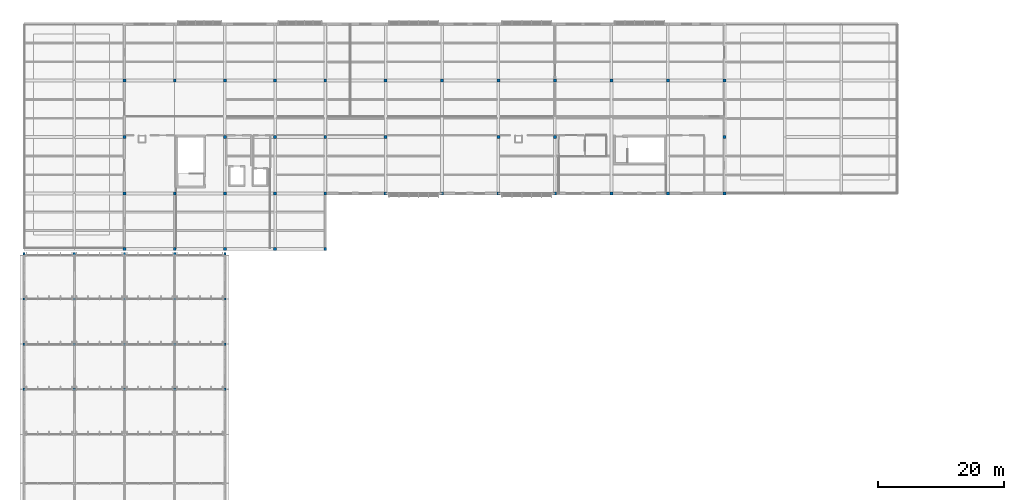
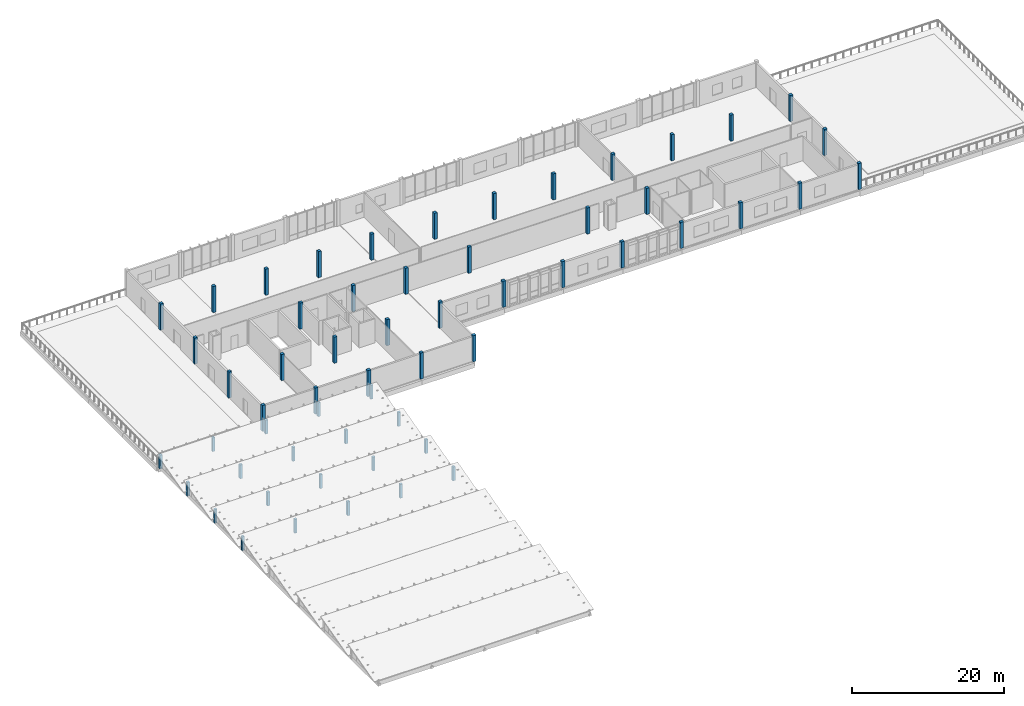
# One storey, part 3 of 94: 57 columns.
"""IFC4 building model written with IfcOpenShell, lengths in metres."""

from ifc_helpers import new_model, si_unit, direction, frame, origin, origin_2d, place, context, subcontext, project, spatial, rectangle, extrude, material, material_profile, profile_set, type_object, element, save


model = new_model("IFC4")

# Units and contexts
model_context = context("Model", 3, precision=1e-05, world=origin(), true_north=direction((0.0, 1.0)))
body_context = subcontext(model_context, "Body", "Model", "MODEL_VIEW")
ifc_project = project(units=[si_unit("LENGTHUNIT", "METRE"), si_unit("AREAUNIT", "SQUARE_METRE"), si_unit("VOLUMEUNIT", "CUBIC_METRE"), si_unit("PLANEANGLEUNIT", "RADIAN"), si_unit("MASSUNIT", "GRAM", prefix="KILO")], contexts=[model_context])

# Site, building, storey
site_placement = place(None, origin())
site = spatial("IfcSite", under=ifc_project, at=site_placement, CompositionType="ELEMENT")
building_placement = place(site_placement, origin())
building = spatial("IfcBuilding", under=site, at=building_placement, Name="Chiffa Square Polytechnic", CompositionType="ELEMENT")
storey_placement = place(building_placement, frame((0.0, 0.0, 18.0)))
storey = spatial("IfcBuildingStorey", under=building, at=storey_placement, Name="L04", CompositionType="ELEMENT", Elevation=18.0)

# Columns
ifc_material_1 = material(Name="Glulam GL32c", Category="wood")
ifc_material_profile_1 = material_profile(ifc_material_1, rectangle(XDim=0.360107421875, YDim=0.360107421875, at=origin_2d()), Name="GL32c 360x360")
ifc_profile_set_1 = profile_set([ifc_material_profile_1], Name="Glulam GL32c")
column_type_1 = type_object("IfcColumnType", Name="COL-GL-360", PredefinedType="COLUMN", material=ifc_profile_set_1)
for number, where, z_axis, x_axis, name in (
    (1, (0.0, 72.60009765625, 0.0), (0.0, 0.0, 1.0), (1.0, 0.0, 0.0), "Sawtooth north-light post C-V6-SAW-021B"),
    (2, (8.0, 72.60009765625, 0.0), (0.0, 0.0, 1.0), (1.0, 0.0, 0.0), "Sawtooth north-light post C-V6-SAW-022B"),
    (3, (16.0, 72.60009765625, 0.0), (0.0, 0.0, 1.0), (1.0, 0.0, 0.0), "Sawtooth north-light post C-V6-SAW-023B"),
    (4, (24.0, 72.60009765625, 0.0), (0.0, 0.0, 1.0), (1.0, 0.0, 0.0), "Sawtooth north-light post C-V6-SAW-024B"),
    (5, (32.0, 72.60009765625, 0.0), (0.0, 0.0, 1.0), (1.0, 0.0, 0.0), "Sawtooth north-light post C-V6-SAW-025B"),
    (6, (0.0, 79.800048828125, 0.0), (0.0, 0.0, 1.0), (1.0, 0.0, 0.0), "Sawtooth north-light post C-V6-SAW-026B"),
    (7, (8.0, 79.800048828125, 0.0), (0.0, 0.0, 1.0), (1.0, 0.0, 0.0), "Sawtooth north-light post C-V6-SAW-027B"),
    (8, (16.0, 79.800048828125, 0.0), (0.0, 0.0, 1.0), (1.0, 0.0, 0.0), "Sawtooth north-light post C-V6-SAW-028B"),
    (9, (24.0, 79.800048828125, 0.0), (0.0, 0.0, 1.0), (1.0, 0.0, 0.0), "Sawtooth north-light post C-V6-SAW-029B"),
    (10, (32.0, 79.800048828125, 0.0), (0.0, 0.0, 1.0), (1.0, 0.0, 0.0), "Sawtooth north-light post C-V6-SAW-030B"),
    (11, (0.0, 87.0, 0.0), (0.0, 0.0, 1.0), (1.0, 0.0, 0.0), "Sawtooth north-light post C-V6-SAW-031B"),
    (12, (8.0, 87.0, 0.0), (0.0, 0.0, 1.0), (1.0, 0.0, 0.0), "Sawtooth north-light post C-V6-SAW-032B"),
    (13, (16.0, 87.0, 0.0), (0.0, 0.0, 1.0), (1.0, 0.0, 0.0), "Sawtooth north-light post C-V6-SAW-033B"),
    (14, (24.0, 87.0, 0.0), (0.0, 0.0, 1.0), (1.0, 0.0, 0.0), "Sawtooth north-light post C-V6-SAW-034B"),
    (15, (32.0, 87.0, 0.0), (0.0, 0.0, 1.0), (1.0, 0.0, 0.0), "Sawtooth north-light post C-V6-SAW-035B"),
    (16, (0.0, 94.199951171875, 0.0), (0.0, 0.0, 1.0), (1.0, 0.0, 0.0), "Sawtooth north-light post C-V6-SAW-036B"),
    (17, (8.0, 94.199951171875, 0.0), (0.0, 0.0, 1.0), (1.0, 0.0, 0.0), "Sawtooth north-light post C-V6-SAW-037B"),
    (18, (16.0, 94.199951171875, 0.0), (0.0, 0.0, 1.0), (1.0, 0.0, 0.0), "Sawtooth north-light post C-V6-SAW-038B"),
    (19, (24.0, 94.199951171875, 0.0), (0.0, 0.0, 1.0), (1.0, 0.0, 0.0), "Sawtooth north-light post C-V6-SAW-039B"),
    (20, (32.0, 94.199951171875, 0.0), (0.0, 0.0, 1.0), (1.0, 0.0, 0.0), "Sawtooth north-light post C-V6-SAW-040B"),
):
    element("IfcColumn", number, at=place(storey_placement, frame(where, z_axis=z_axis, x_axis=x_axis)), inside=storey, type_object=column_type_1, Name=name, PredefinedType="COLUMN", context=body_context, shape_type="SweptSolid", body=[
        extrude(rectangle(XDim=0.360107421875, YDim=0.360107421875, at=origin_2d()), origin(), (0.0, 0.0, 1.0), 2.22900390625),
    ])
ifc_material_2 = material(Name="Concrete C35/45", Category="concrete")
ifc_material_profile_2 = material_profile(ifc_material_2, rectangle(XDim=0.449951171875, YDim=0.449951171875, at=origin_2d()), Name="RC 450x450")
ifc_profile_set_2 = profile_set([ifc_material_profile_2], Name="Concrete C35/45")
column_type_2 = type_object("IfcColumnType", Name="COL-RC-450", PredefinedType="COLUMN", material=ifc_profile_set_2)
for number, where, z_axis, x_axis, name in (
    (21, (16.0, 94.949951171875, 0.0), (0.0, 0.0, 1.0), (1.0, 0.0, 0.0), "Column C-V5-L04-0160-0950"),
    (22, (16.0, 103.800048828125, 0.0), (0.0, 0.0, 1.0), (1.0, 0.0, 0.0), "Column C-V5-L04-0160-1038"),
    (23, (16.0, 112.800048828125, 0.0), (0.0, 0.0, 1.0), (1.0, 0.0, 0.0), "Column C-V5-L04-0160-1128"),
    (24, (16.0, 121.800048828125, 0.0), (0.0, 0.0, 1.0), (1.0, 0.0, 0.0), "Column C-V5-L04-0160-1218"),
    (25, (24.0, 94.949951171875, 0.0), (0.0, 0.0, 1.0), (1.0, 0.0, 0.0), "Column C-V5-L04-0240-0950"),
    (26, (24.0, 103.800048828125, 0.0), (0.0, 0.0, 1.0), (1.0, 0.0, 0.0), "Column C-V5-L04-0240-1038"),
    (27, (24.0, 121.800048828125, 0.0), (0.0, 0.0, 1.0), (1.0, 0.0, 0.0), "Column C-V5-L04-0240-1218"),
    (28, (32.0, 94.949951171875, 0.0), (0.0, 0.0, 1.0), (1.0, 0.0, 0.0), "Column C-V5-L04-0320-0950"),
    (29, (32.0, 103.800048828125, 0.0), (0.0, 0.0, 1.0), (1.0, 0.0, 0.0), "Column C-V5-L04-0320-1038"),
    (30, (32.0, 112.800048828125, 0.0), (0.0, 0.0, 1.0), (1.0, 0.0, 0.0), "Column C-V5-L04-0320-1128"),
    (31, (32.0, 121.800048828125, 0.0), (0.0, 0.0, 1.0), (1.0, 0.0, 0.0), "Column C-V5-L04-0320-1218"),
    (32, (40.0, 94.949951171875, 0.0), (0.0, 0.0, 1.0), (1.0, 0.0, 0.0), "Column C-V5-L04-0400-0950"),
    (33, (40.0, 103.800048828125, 0.0), (0.0, 0.0, 1.0), (1.0, 0.0, 0.0), "Column C-V5-L04-0400-1038"),
    (34, (40.0, 112.800048828125, 0.0), (0.0, 0.0, 1.0), (1.0, 0.0, 0.0), "Column C-V5-L04-0400-1128"),
    (35, (40.0, 121.800048828125, 0.0), (0.0, 0.0, 1.0), (1.0, 0.0, 0.0), "Column C-V5-L04-0400-1218"),
    (36, (48.0, 94.949951171875, 0.0), (0.0, 0.0, 1.0), (1.0, 0.0, 0.0), "Column C-V5-L04-0480-0950"),
    (37, (48.0, 103.800048828125, 0.0), (0.0, 0.0, 1.0), (1.0, 0.0, 0.0), "Column C-V5-L04-0480-1038"),
    (38, (48.0, 112.800048828125, 0.0), (0.0, 0.0, 1.0), (1.0, 0.0, 0.0), "Column C-V5-L04-0480-1128"),
    (39, (48.0, 121.800048828125, 0.0), (0.0, 0.0, 1.0), (1.0, 0.0, 0.0), "Column C-V5-L04-0480-1218"),
    (40, (57.60009765625, 103.800048828125, 0.0), (0.0, 0.0, 1.0), (1.0, 0.0, 0.0), "Column C-V5-L04-0576-1038"),
    (41, (57.60009765625, 112.800048828125, 0.0), (0.0, 0.0, 1.0), (1.0, 0.0, 0.0), "Column C-V5-L04-0576-1128"),
    (42, (57.60009765625, 121.800048828125, 0.0), (0.0, 0.0, 1.0), (1.0, 0.0, 0.0), "Column C-V5-L04-0576-1218"),
    (43, (66.60009765625, 103.800048828125, 0.0), (0.0, 0.0, 1.0), (1.0, 0.0, 0.0), "Column C-V5-L04-0666-1038"),
    (44, (66.60009765625, 121.800048828125, 0.0), (0.0, 0.0, 1.0), (1.0, 0.0, 0.0), "Column C-V5-L04-0666-1218"),
    (45, (75.60009765625, 103.800048828125, 0.0), (0.0, 0.0, 1.0), (1.0, 0.0, 0.0), "Column C-V5-L04-0756-1038"),
    (46, (75.60009765625, 112.800048828125, 0.0), (0.0, 0.0, 1.0), (1.0, 0.0, 0.0), "Column C-V5-L04-0756-1128"),
    (47, (75.60009765625, 121.800048828125, 0.0), (0.0, 0.0, 1.0), (1.0, 0.0, 0.0), "Column C-V5-L04-0756-1218"),
    (48, (84.60009765625, 103.800048828125, 0.0), (0.0, 0.0, 1.0), (1.0, 0.0, 0.0), "Column C-V5-L04-0846-1038"),
    (49, (84.60009765625, 112.800048828125, 0.0), (0.0, 0.0, 1.0), (1.0, 0.0, 0.0), "Column C-V5-L04-0846-1128"),
    (50, (84.60009765625, 121.800048828125, 0.0), (0.0, 0.0, 1.0), (1.0, 0.0, 0.0), "Column C-V5-L04-0846-1218"),
    (51, (93.60009765625, 103.800048828125, 0.0), (0.0, 0.0, 1.0), (1.0, 0.0, 0.0), "Column C-V5-L04-0936-1038"),
    (52, (93.60009765625, 121.800048828125, 0.0), (0.0, 0.0, 1.0), (1.0, 0.0, 0.0), "Column C-V5-L04-0936-1218"),
    (53, (102.60009765625, 103.800048828125, 0.0), (0.0, 0.0, 1.0), (1.0, 0.0, 0.0), "Column C-V5-L04-1026-1038"),
    (54, (102.60009765625, 121.800048828125, 0.0), (0.0, 0.0, 1.0), (1.0, 0.0, 0.0), "Column C-V5-L04-1026-1218"),
    (55, (111.60009765625, 103.800048828125, 0.0), (0.0, 0.0, 1.0), (1.0, 0.0, 0.0), "Column C-V5-L04-1116-1038"),
    (56, (111.60009765625, 112.800048828125, 0.0), (0.0, 0.0, 1.0), (1.0, 0.0, 0.0), "Column C-V5-L04-1116-1128"),
    (57, (111.60009765625, 121.800048828125, 0.0), (0.0, 0.0, 1.0), (1.0, 0.0, 0.0), "Column C-V5-L04-1116-1218"),
):
    element("IfcColumn", number, at=place(storey_placement, frame(where, z_axis=z_axis, x_axis=x_axis)), inside=storey, type_object=column_type_2, Name=name, PredefinedType="COLUMN", context=body_context, shape_type="SweptSolid", body=[
        extrude(rectangle(XDim=0.449951171875, YDim=0.449951171875, at=origin_2d()), origin(), (0.0, 0.0, 1.0), 4.199951171875),
    ])

save(model, "model.ifc")
